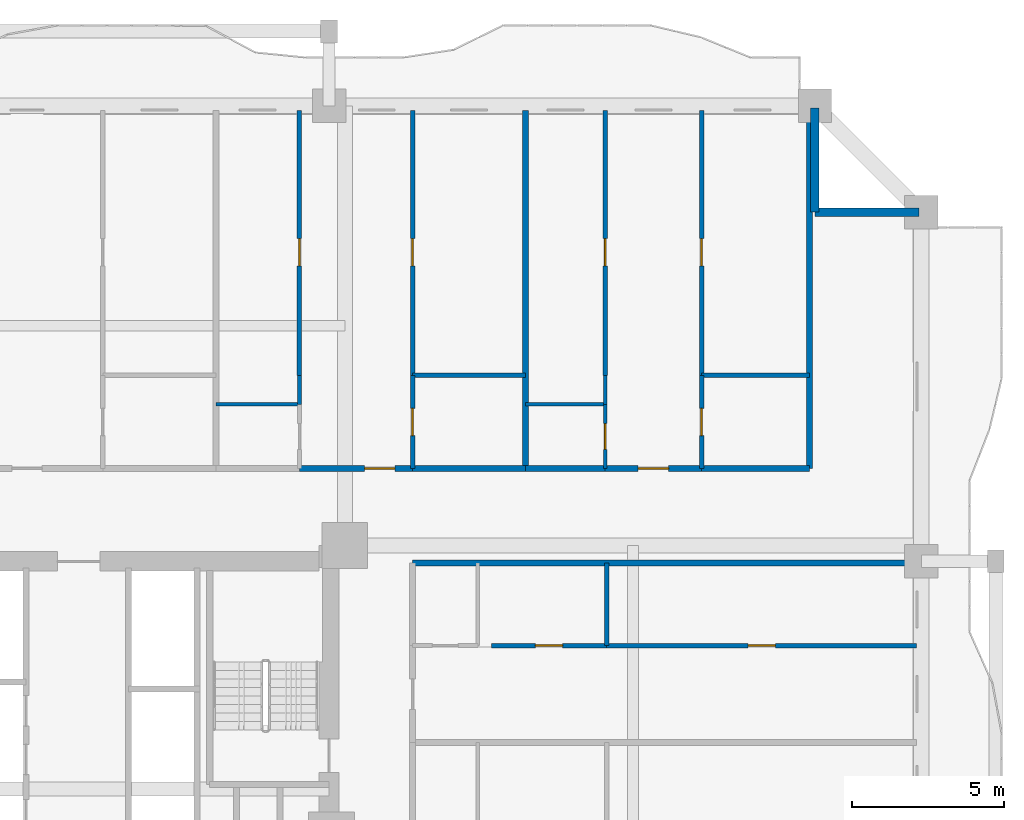
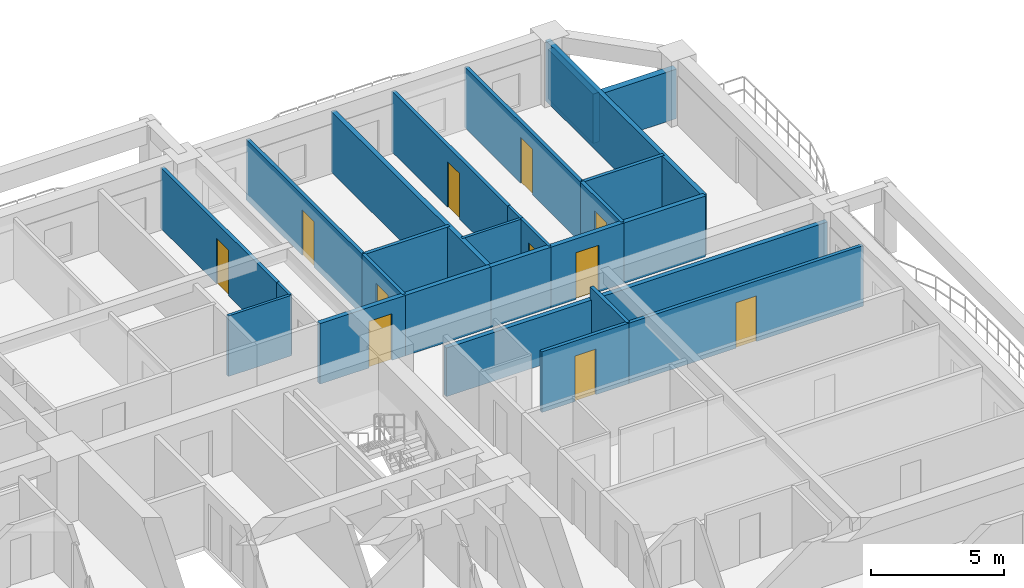
# One storey, part 8 of 16: 26 walls, 11 doors, 11 openings.
"""IFC4 building model written with IfcOpenShell, lengths in metres."""

from ifc_helpers import new_model, si_unit, direction, frame, frame_2d, origin, place, context, subcontext, project, spatial, rectangle, extrude, source, transform, mapped, material, layer, layer_set, type_object, element, fill, save


model = new_model("IFC4")

# Units and contexts
model_context = context("Model", 3, precision=1e-05, world=origin(), true_north=direction((0.0, 1.0)))
body_context = subcontext(model_context, "Body", "Model", "MODEL_VIEW")
ifc_project = project(units=[si_unit("LENGTHUNIT", "METRE"), si_unit("AREAUNIT", "SQUARE_METRE"), si_unit("VOLUMEUNIT", "CUBIC_METRE"), si_unit("PLANEANGLEUNIT", "RADIAN"), si_unit("MASSUNIT", "GRAM", prefix="KILO")], contexts=[model_context])

# Site, building, storey
site_placement = place(None, origin())
site = spatial("IfcSite", under=ifc_project, at=site_placement, CompositionType="ELEMENT")
building_placement = place(site_placement, origin())
building = spatial("IfcBuilding", under=site, at=building_placement, Name="Saelheon Loggia Tower", CompositionType="ELEMENT")
storey_placement = place(building_placement, frame((0.0, 0.0, 37.39990234375)))
storey = spatial("IfcBuildingStorey", under=building, at=storey_placement, Name="L11", CompositionType="ELEMENT", Elevation=37.39990234375)

# Walls
ifc_material_1 = material(Name="Architectural Precast Concrete C40/50", Category="concrete")
ifc_layer_1 = layer(ifc_material_1, 0.280029296875)
ifc_layer_set_1 = layer_set([ifc_layer_1], Name="Architectural Precast Concrete C40/50")
wall_type_1 = type_object("IfcWallType", Name="Wall_Ext_Loggia_280", PredefinedType="SOLIDWALL", material=ifc_layer_set_1)
for number, where, z_axis, x_axis, name in (
    (1, (60.5, 47.5, 0.0), (0.0, 0.0, 1.0), (0.0, 1.0, 0.0), "L11 Corner Notch Precast Wall NE1"),
    (2, (60.5, 47.5, 0.0), (0.0, 0.0, 1.0), (1.0, 0.0, 0.0), "L11 Corner Notch Precast Wall NE2"),
):
    element("IfcWall", number, at=place(storey_placement, frame(where, z_axis=z_axis, x_axis=x_axis)), inside=storey, type_object=wall_type_1, Name=name, PredefinedType="SOLIDWALL", context=body_context, shape_type="SweptSolid", body=[
        extrude(rectangle(XDim=3.419921875, YDim=0.280029296875, at=frame_2d((1.7099609375, 0.0))), origin(), (0.0, 0.0, 1.0), 2.280029296875),
    ])
ifc_material_2 = material(Name="Lightweight Autoclaved Aerated Concrete Block and Acoustic Gypsum", Category="concrete")
ifc_layer_2 = layer(ifc_material_2, 0.14990234375)
ifc_layer_set_2 = layer_set([ifc_layer_2], Name="Lightweight Autoclaved Aerated Concrete Block and Acoustic Gypsum")
wall_type_2 = type_object("IfcWallType", Name="Wall_Part_150", PredefinedType="PARTITIONING", material=ifc_layer_set_2)
wall_1_placement = place(storey_placement, frame((47.24951171875, 42.1201171875, 0.0), z_axis=(0.0, 0.0, 1.0), x_axis=(1.0, 0.0, 0.0)))
element("IfcWall", 3, at=wall_1_placement, inside=storey, type_object=wall_type_2, Name="L11 N Partition V31", PredefinedType="PARTITIONING", context=body_context, shape_type="SweptSolid", body=[
    extrude(rectangle(XDim=3.72265625, YDim=0.14990234375, at=frame_2d((1.861328125, 0.0))), origin(), (0.0, 0.0, 1.0), 2.7900390625),
])

# Wall, opening, door
wall_2_placement = place(storey_placement, frame((43.524658203125, 42.1201171875, 0.0), z_axis=(0.0, 0.0, 1.0), x_axis=(0.0, 1.0, 0.0)))
wall_2 = element("IfcWall", 4, at=wall_2_placement, inside=storey, type_object=wall_type_2, Name="L11 N Partition U34", PredefinedType="PARTITIONING", context=body_context, shape_type="SweptSolid", body=[
    extrude(rectangle(XDim=8.72998046875, YDim=0.14990234375, at=frame_2d((4.364990234375, 0.0))), origin(), (0.0, 0.0, 1.0), 2.7900390625),
])
opening_1_placement = place(wall_2_placement, frame((3.60888671875, 0.0, 0.0)))
opening_1 = element("IfcOpeningElement", 5, at=opening_1_placement, cuts=wall_2, Name="Opening D-IN2", PredefinedType="OPENING", context=body_context, shape_type="SweptSolid", body=[
    extrude(rectangle(XDim=0.89990234375, YDim=2.10009765625, at=frame_2d((0.449951171875, 1.050048828125))), frame((0.0, 0.0869140625, 0.0), z_axis=(0.0, -1.0, 0.0), x_axis=(1.0, 0.0, 0.0)), (0.0, 0.0, 1.0), 0.173828125),
])
ifc_material_3 = material(Name="Engineered Oak Flush Door", Category="timber")
door_type_1 = type_object("IfcDoorType", Name="Door_Int_900", OperationType="NOTDEFINED", PredefinedType="DOOR", material=ifc_material_3)
shared_shape_1 = source(origin(), body_context, "Body", "SweptSolid", [
    extrude(rectangle(XDim=0.89990234375, YDim=2.10009765625, at=frame_2d((0.449951171875, 1.050048828125))), frame((0.0, 0.02490234375, 0.0), z_axis=(0.0, -1.0, 0.0), x_axis=(1.0, 0.0, 0.0)), (0.0, 0.0, 1.0), 0.050048828125),
])
door_1_placement = place(opening_1_placement, origin())
door_1 = element("IfcDoor", 6, at=door_1_placement, inside=storey, type_object=door_type_1, Name="Unit U07 Kitchen Door", OperationType="SINGLE_SWING_RIGHT", OverallHeight=2.10009765625, OverallWidth=0.89990234375, PredefinedType="DOOR", context=body_context, shape_type="MappedRepresentation", body=[
    mapped(shared_shape_1, transform((0.0, 0.0, 0.0), scale=1.0)),
])
fill(opening_1, door_1)

wall_3_placement = place(storey_placement, frame((47.24951171875, 39.050048828125, 0.0), z_axis=(0.0, 0.0, 1.0), x_axis=(0.0, 1.0, 0.0)))
wall_3 = element("IfcWall", 7, at=wall_3_placement, inside=storey, type_object=wall_type_2, Name="L11 N Partition U35", PredefinedType="PARTITIONING", context=body_context, shape_type="SweptSolid", body=[
    extrude(rectangle(XDim=3.070068359375, YDim=0.14990234375, at=frame_2d((1.53515625, 0.0))), origin(), (0.0, 0.0, 1.0), 2.7900390625),
])
opening_2_placement = place(wall_3_placement, frame((1.0849609375, 0.0, 0.0)))
opening_2 = element("IfcOpeningElement", 8, at=opening_2_placement, cuts=wall_3, Name="Opening D-IN2", PredefinedType="OPENING", context=body_context, shape_type="SweptSolid", body=[
    extrude(rectangle(XDim=0.89990234375, YDim=2.10009765625, at=frame_2d((0.449951171875, 1.050048828125))), frame((0.0, 0.0869140625, 0.0), z_axis=(0.0, -1.0, 0.0), x_axis=(1.0, 0.0, 0.0)), (0.0, 0.0, 1.0), 0.173828125),
])
door_2_placement = place(opening_2_placement, origin())
door_2 = element("IfcDoor", 9, at=door_2_placement, inside=storey, type_object=door_type_1, Name="Unit U07 Dressing Closet Door", OperationType="SINGLE_SWING_LEFT", OverallHeight=2.10009765625, OverallWidth=0.89990234375, PredefinedType="DOOR", context=body_context, shape_type="MappedRepresentation", body=[
    mapped(shared_shape_1, transform((0.0, 0.0, 0.0), scale=1.0)),
])
fill(opening_2, door_2)

wall_4_placement = place(storey_placement, frame((47.24951171875, 42.1201171875, 0.0), z_axis=(0.0, 0.0, 1.0), x_axis=(0.0, 1.0, 0.0)))
wall_4 = element("IfcWall", 10, at=wall_4_placement, inside=storey, type_object=wall_type_2, Name="L11 N Partition U36", PredefinedType="PARTITIONING", context=body_context, shape_type="SweptSolid", body=[
    extrude(rectangle(XDim=8.72998046875, YDim=0.14990234375, at=frame_2d((4.364990234375, 0.0))), origin(), (0.0, 0.0, 1.0), 2.7900390625),
])
opening_3_placement = place(wall_4_placement, frame((3.60888671875, 0.0, 0.0)))
opening_3 = element("IfcOpeningElement", 11, at=opening_3_placement, cuts=wall_4, Name="Opening D-IN2", PredefinedType="OPENING", context=body_context, shape_type="SweptSolid", body=[
    extrude(rectangle(XDim=0.89990234375, YDim=2.10009765625, at=frame_2d((0.449951171875, 1.050048828125))), frame((0.0, 0.0869140625, 0.0), z_axis=(0.0, -1.0, 0.0), x_axis=(1.0, 0.0, 0.0)), (0.0, 0.0, 1.0), 0.173828125),
])
door_3_placement = place(opening_3_placement, origin())
door_3 = element("IfcDoor", 12, at=door_3_placement, inside=storey, type_object=door_type_1, Name="Unit U07 Bedroom 1 Door", OperationType="SINGLE_SWING_RIGHT", OverallHeight=2.10009765625, OverallWidth=0.89990234375, PredefinedType="DOOR", context=body_context, shape_type="MappedRepresentation", body=[
    mapped(shared_shape_1, transform((0.0, 0.0, 0.0), scale=1.0)),
])
fill(opening_3, door_3)

# Wall
wall_5_placement = place(storey_placement, frame((56.767822265625, 42.1201171875, 0.0), z_axis=(0.0, 0.0, 1.0), x_axis=(1.0, 0.0, 0.0)))
element("IfcWall", 13, at=wall_5_placement, inside=storey, type_object=wall_type_2, Name="L11 N Partition V42", PredefinedType="PARTITIONING", context=body_context, shape_type="SweptSolid", body=[
    extrude(rectangle(XDim=3.55224609375, YDim=0.14990234375, at=frame_2d((1.776123046875, 0.0))), origin(), (0.0, 0.0, 1.0), 2.7900390625),
])

# Wall, opening, door
wall_6_placement = place(storey_placement, frame((53.589599609375, 42.1201171875, 0.0), z_axis=(0.0, 0.0, 1.0), x_axis=(0.0, 1.0, 0.0)))
wall_6 = element("IfcWall", 14, at=wall_6_placement, inside=storey, type_object=wall_type_2, Name="L11 N Partition U45", PredefinedType="PARTITIONING", context=body_context, shape_type="SweptSolid", body=[
    extrude(rectangle(XDim=8.72998046875, YDim=0.14990234375, at=frame_2d((4.364990234375, 0.0))), origin(), (0.0, 0.0, 1.0), 2.7900390625),
])
opening_4_placement = place(wall_6_placement, frame((3.60888671875, 0.0, 0.0)))
opening_4 = element("IfcOpeningElement", 15, at=opening_4_placement, cuts=wall_6, Name="Opening D-IN2", PredefinedType="OPENING", context=body_context, shape_type="SweptSolid", body=[
    extrude(rectangle(XDim=0.89990234375, YDim=2.10009765625, at=frame_2d((0.449951171875, 1.050048828125))), frame((0.0, 0.0869140625, 0.0), z_axis=(0.0, -1.0, 0.0), x_axis=(1.0, 0.0, 0.0)), (0.0, 0.0, 1.0), 0.173828125),
])
door_4_placement = place(opening_4_placement, origin())
door_4 = element("IfcDoor", 16, at=door_4_placement, inside=storey, type_object=door_type_1, Name="Unit U08 Kitchen Door", OperationType="SINGLE_SWING_LEFT", OverallHeight=2.10009765625, OverallWidth=0.89990234375, PredefinedType="DOOR", context=body_context, shape_type="MappedRepresentation", body=[
    mapped(shared_shape_1, transform((0.0, 0.0, 0.0), scale=1.0)),
])
fill(opening_4, door_4)

wall_7_placement = place(storey_placement, frame((56.767822265625, 39.050048828125, 0.0), z_axis=(0.0, 0.0, 1.0), x_axis=(0.0, 1.0, 0.0)))
wall_7 = element("IfcWall", 17, at=wall_7_placement, inside=storey, type_object=wall_type_2, Name="L11 N Partition U46", PredefinedType="PARTITIONING", context=body_context, shape_type="SweptSolid", body=[
    extrude(rectangle(XDim=3.070068359375, YDim=0.14990234375, at=frame_2d((1.53515625, 0.0))), origin(), (0.0, 0.0, 1.0), 2.7900390625),
])
opening_5_placement = place(wall_7_placement, frame((1.0849609375, 0.0, 0.0)))
opening_5 = element("IfcOpeningElement", 18, at=opening_5_placement, cuts=wall_7, Name="Opening D-IN2", PredefinedType="OPENING", context=body_context, shape_type="SweptSolid", body=[
    extrude(rectangle(XDim=0.89990234375, YDim=2.10009765625, at=frame_2d((0.449951171875, 1.050048828125))), frame((0.0, 0.0869140625, 0.0), z_axis=(0.0, -1.0, 0.0), x_axis=(1.0, 0.0, 0.0)), (0.0, 0.0, 1.0), 0.173828125),
])
door_5_placement = place(opening_5_placement, origin())
door_5 = element("IfcDoor", 19, at=door_5_placement, inside=storey, type_object=door_type_1, Name="Unit U08 Dressing Closet Door", OperationType="SINGLE_SWING_RIGHT", OverallHeight=2.10009765625, OverallWidth=0.89990234375, PredefinedType="DOOR", context=body_context, shape_type="MappedRepresentation", body=[
    mapped(shared_shape_1, transform((0.0, 0.0, 0.0), scale=1.0)),
])
fill(opening_5, door_5)

wall_8_placement = place(storey_placement, frame((56.767822265625, 42.1201171875, 0.0), z_axis=(0.0, 0.0, 1.0), x_axis=(0.0, 1.0, 0.0)))
wall_8 = element("IfcWall", 20, at=wall_8_placement, inside=storey, type_object=wall_type_2, Name="L11 N Partition U47", PredefinedType="PARTITIONING", context=body_context, shape_type="SweptSolid", body=[
    extrude(rectangle(XDim=8.72998046875, YDim=0.14990234375, at=frame_2d((4.364990234375, 0.0))), origin(), (0.0, 0.0, 1.0), 2.7900390625),
])
opening_6_placement = place(wall_8_placement, frame((3.60888671875, 0.0, 0.0)))
opening_6 = element("IfcOpeningElement", 21, at=opening_6_placement, cuts=wall_8, Name="Opening D-IN2", PredefinedType="OPENING", context=body_context, shape_type="SweptSolid", body=[
    extrude(rectangle(XDim=0.89990234375, YDim=2.10009765625, at=frame_2d((0.449951171875, 1.050048828125))), frame((0.0, 0.0869140625, 0.0), z_axis=(0.0, -1.0, 0.0), x_axis=(1.0, 0.0, 0.0)), (0.0, 0.0, 1.0), 0.173828125),
])
door_6_placement = place(opening_6_placement, origin())
door_6 = element("IfcDoor", 22, at=door_6_placement, inside=storey, type_object=door_type_1, Name="Unit U08 Bedroom 1 Door", OperationType="SINGLE_SWING_LEFT", OverallHeight=2.10009765625, OverallWidth=0.89990234375, PredefinedType="DOOR", context=body_context, shape_type="MappedRepresentation", body=[
    mapped(shared_shape_1, transform((0.0, 0.0, 0.0), scale=1.0)),
])
fill(opening_6, door_6)

# Wall
wall_9_placement = place(storey_placement, frame((53.639892578125, 33.22509765625, 0.0), z_axis=(0.0, 0.0, 1.0), x_axis=(0.0, 1.0, 0.0)))
element("IfcWall", 23, at=wall_9_placement, inside=storey, type_object=wall_type_2, Name="L11 E Partition V23", PredefinedType="PARTITIONING", context=body_context, shape_type="SweptSolid", body=[
    extrude(rectangle(XDim=2.724853515625, YDim=0.14990234375, at=frame_2d((1.3623046875, 0.0))), origin(), (0.0, 0.0, 1.0), 2.7900390625),
])

# Wall, opening, door
wall_10_placement = place(storey_placement, frame((49.840087890625, 33.22509765625, 0.0), z_axis=(0.0, 0.0, 1.0), x_axis=(1.0, 0.0, 0.0)))
wall_10 = element("IfcWall", 24, at=wall_10_placement, inside=storey, type_object=wall_type_2, Name="L11 E Partition U24", PredefinedType="PARTITIONING", context=body_context, shape_type="SweptSolid", body=[
    extrude(rectangle(XDim=3.7998046875, YDim=0.14990234375, at=frame_2d((1.89990234375, 0.0))), origin(), (0.0, 0.0, 1.0), 2.7900390625),
])
opening_7_placement = place(wall_10_placement, frame((1.449951171875, 0.0, 0.0)))
opening_7 = element("IfcOpeningElement", 25, at=opening_7_placement, cuts=wall_10, Name="Opening D-IN2", PredefinedType="OPENING", context=body_context, shape_type="SweptSolid", body=[
    extrude(rectangle(XDim=0.89990234375, YDim=2.10009765625, at=frame_2d((0.449951171875, 1.050048828125))), frame((0.0, 0.0869140625, 0.0), z_axis=(0.0, -1.0, 0.0), x_axis=(1.0, 0.0, 0.0)), (0.0, 0.0, 1.0), 0.173828125),
])
door_7_placement = place(opening_7_placement, origin())
door_7 = element("IfcDoor", 26, at=door_7_placement, inside=storey, type_object=door_type_1, Name="Unit U13 Kitchen Door", OperationType="SINGLE_SWING_RIGHT", OverallHeight=2.10009765625, OverallWidth=0.89990234375, PredefinedType="DOOR", context=body_context, shape_type="MappedRepresentation", body=[
    mapped(shared_shape_1, transform((0.0, 0.0, 0.0), scale=1.0)),
])
fill(opening_7, door_7)

wall_11_placement = place(storey_placement, frame((53.639892578125, 33.22509765625, 0.0), z_axis=(0.0, 0.0, 1.0), x_axis=(1.0, 0.0, 0.0)))
wall_11 = element("IfcWall", 27, at=wall_11_placement, inside=storey, type_object=wall_type_2, Name="L11 E Partition U25", PredefinedType="PARTITIONING", context=body_context, shape_type="SweptSolid", body=[
    extrude(rectangle(XDim=10.210205078125, YDim=0.14990234375, at=frame_2d((5.10498046875, 0.0))), origin(), (0.0, 0.0, 1.0), 2.7900390625),
])
opening_8_placement = place(wall_11_placement, frame((4.655029296875, 0.0, 0.0)))
opening_8 = element("IfcOpeningElement", 28, at=opening_8_placement, cuts=wall_11, Name="Opening D-IN2", PredefinedType="OPENING", context=body_context, shape_type="SweptSolid", body=[
    extrude(rectangle(XDim=0.89990234375, YDim=2.10009765625, at=frame_2d((0.449951171875, 1.050048828125))), frame((0.0, 0.0869140625, 0.0), z_axis=(0.0, -1.0, 0.0), x_axis=(1.0, 0.0, 0.0)), (0.0, 0.0, 1.0), 0.173828125),
])
door_8_placement = place(opening_8_placement, origin())
door_8 = element("IfcDoor", 29, at=door_8_placement, inside=storey, type_object=door_type_1, Name="Unit U13 Bedroom 1 Door", OperationType="SINGLE_SWING_LEFT", OverallHeight=2.10009765625, OverallWidth=0.89990234375, PredefinedType="DOOR", context=body_context, shape_type="MappedRepresentation", body=[
    mapped(shared_shape_1, transform((0.0, 0.0, 0.0), scale=1.0)),
])
fill(opening_8, door_8)

# Wall
ifc_material_4 = material(Name="Double Acoustic Stud and Fireboard Partition", Category="gypsum")
ifc_layer_3 = layer(ifc_material_4, 0.199951171875)
ifc_layer_set_3 = layer_set([ifc_layer_3], Name="Double Acoustic Stud and Fireboard Partition")
wall_type_3 = type_object("IfcWallType", Name="Wall_Party_200", PredefinedType="PARTITIONING", material=ifc_layer_set_3)
wall_12_placement = place(storey_placement, frame((60.320068359375, 39.050048828125, 0.0), z_axis=(0.0, 0.0, 1.0), x_axis=(0.0, 1.0, 0.0)))
element("IfcWall", 30, at=wall_12_placement, inside=storey, type_object=wall_type_3, Name="L11 N Partition U02", PredefinedType="PARTITIONING", context=body_context, shape_type="SweptSolid", body=[
    extrude(rectangle(XDim=11.800048828125, YDim=0.199951171875, at=frame_2d((5.89990234375, 0.0))), origin(), (0.0, 0.0, 1.0), 2.7900390625),
])

# Wall, opening, door
wall_13_placement = place(storey_placement, frame((43.524658203125, 39.050048828125, 0.0), z_axis=(0.0, 0.0, 1.0), x_axis=(1.0, 0.0, 0.0)))
wall_13 = element("IfcWall", 31, at=wall_13_placement, inside=storey, type_object=wall_type_3, Name="L11 N Partition V28", PredefinedType="PARTITIONING", context=body_context, shape_type="SweptSolid", body=[
    extrude(rectangle(XDim=3.724853515625, YDim=0.199951171875, at=frame_2d((1.8623046875, 0.0))), origin(), (0.0, 0.0, 1.0), 2.7900390625),
])
opening_9_placement = place(wall_13_placement, frame((2.143310546875, 0.0, 0.0)))
opening_9 = element("IfcOpeningElement", 32, at=opening_9_placement, cuts=wall_13, Name="Opening D-FD1", PredefinedType="OPENING", context=body_context, shape_type="SweptSolid", body=[
    extrude(rectangle(XDim=1.0, YDim=2.14990234375, at=frame_2d((0.5, 1.074951171875))), frame((0.0, 0.112060546875, 0.0), z_axis=(0.0, -1.0, 0.0), x_axis=(1.0, 0.0, 0.0)), (0.0, 0.0, 1.0), 0.223876953125),
])
ifc_material_5 = material(Name="Fire-Rated Engineered Timber Entrance Door", Category="wood")
door_type_2 = type_object("IfcDoorType", Name="Door_Flat_FD30S", OperationType="NOTDEFINED", PredefinedType="DOOR", material=ifc_material_5)
shared_shape_2 = source(origin(), body_context, "Body", "SweptSolid", [
    extrude(rectangle(XDim=1.0, YDim=2.14990234375, at=frame_2d((0.5, 1.074951171875))), frame((0.0, 0.02490234375, 0.0), z_axis=(0.0, -1.0, 0.0), x_axis=(1.0, 0.0, 0.0)), (0.0, 0.0, 1.0), 0.050048828125),
])
door_9_placement = place(opening_9_placement, origin())
door_9 = element("IfcDoor", 33, at=door_9_placement, inside=storey, type_object=door_type_2, Name="Unit U07 Entrance Door", OperationType="SINGLE_SWING_RIGHT", OverallHeight=2.14990234375, OverallWidth=1.0, PredefinedType="DOOR", context=body_context, shape_type="MappedRepresentation", body=[
    mapped(shared_shape_2, transform((0.0, 0.0, 0.0), scale=1.0)),
])
fill(opening_9, door_9)

# Walls
wall_14_placement = place(storey_placement, frame((47.24951171875, 39.050048828125, 0.0), z_axis=(0.0, 0.0, 1.0), x_axis=(1.0, 0.0, 0.0)))
element("IfcWall", 34, at=wall_14_placement, inside=storey, type_object=wall_type_3, Name="L11 N Partition V29", PredefinedType="PARTITIONING", context=body_context, shape_type="SweptSolid", body=[
    extrude(rectangle(XDim=3.72265625, YDim=0.199951171875, at=frame_2d((1.861328125, 0.0))), origin(), (0.0, 0.0, 1.0), 2.7900390625),
])
wall_15_placement = place(storey_placement, frame((50.97216796875, 39.050048828125, 0.0), z_axis=(0.0, 0.0, 1.0), x_axis=(0.0, 1.0, 0.0)))
element("IfcWall", 35, at=wall_15_placement, inside=storey, type_object=wall_type_3, Name="L11 N Partition U37", PredefinedType="PARTITIONING", context=body_context, shape_type="SweptSolid", body=[
    extrude(rectangle(XDim=11.800048828125, YDim=0.199951171875, at=frame_2d((5.89990234375, 0.0))), origin(), (0.0, 0.0, 1.0), 2.7900390625),
])
wall_16_placement = place(storey_placement, frame((50.97216796875, 39.050048828125, 0.0), z_axis=(0.0, 0.0, 1.0), x_axis=(1.0, 0.0, 0.0)))
element("IfcWall", 36, at=wall_16_placement, inside=storey, type_object=wall_type_3, Name="L11 N Partition V38", PredefinedType="PARTITIONING", context=body_context, shape_type="SweptSolid", body=[
    extrude(rectangle(XDim=2.617431640625, YDim=0.199951171875, at=frame_2d((1.30859375, 0.0))), origin(), (0.0, 0.0, 1.0), 2.7900390625),
])

# Wall, opening, door
wall_17_placement = place(storey_placement, frame((53.589599609375, 39.050048828125, 0.0), z_axis=(0.0, 0.0, 1.0), x_axis=(1.0, 0.0, 0.0)))
wall_17 = element("IfcWall", 37, at=wall_17_placement, inside=storey, type_object=wall_type_3, Name="L11 N Partition V39", PredefinedType="PARTITIONING", context=body_context, shape_type="SweptSolid", body=[
    extrude(rectangle(XDim=3.17822265625, YDim=0.199951171875, at=frame_2d((1.589111328125, 0.0))), origin(), (0.0, 0.0, 1.0), 2.7900390625),
])
opening_10_placement = place(wall_17_placement, frame((1.089111328125, 0.0, 0.0)))
opening_10 = element("IfcOpeningElement", 38, at=opening_10_placement, cuts=wall_17, Name="Opening D-FD1", PredefinedType="OPENING", context=body_context, shape_type="SweptSolid", body=[
    extrude(rectangle(XDim=1.0, YDim=2.14990234375, at=frame_2d((0.5, 1.074951171875))), frame((0.0, 0.112060546875, 0.0), z_axis=(0.0, -1.0, 0.0), x_axis=(1.0, 0.0, 0.0)), (0.0, 0.0, 1.0), 0.223876953125),
])
door_10_placement = place(opening_10_placement, origin())
door_10 = element("IfcDoor", 39, at=door_10_placement, inside=storey, type_object=door_type_2, Name="Unit U08 Entrance Door", OperationType="SINGLE_SWING_LEFT", OverallHeight=2.14990234375, OverallWidth=1.0, PredefinedType="DOOR", context=body_context, shape_type="MappedRepresentation", body=[
    mapped(shared_shape_2, transform((0.0, 0.0, 0.0), scale=1.0)),
])
fill(opening_10, door_10)

# Walls
wall_18_placement = place(storey_placement, frame((56.767822265625, 39.050048828125, 0.0), z_axis=(0.0, 0.0, 1.0), x_axis=(1.0, 0.0, 0.0)))
element("IfcWall", 40, at=wall_18_placement, inside=storey, type_object=wall_type_3, Name="L11 N Partition V40", PredefinedType="PARTITIONING", context=body_context, shape_type="SweptSolid", body=[
    extrude(rectangle(XDim=3.55224609375, YDim=0.199951171875, at=frame_2d((1.776123046875, 0.0))), origin(), (0.0, 0.0, 1.0), 2.7900390625),
])
wall_19_placement = place(storey_placement, frame((47.25, 35.949951171875, 0.0), z_axis=(0.0, 0.0, 1.0), x_axis=(1.0, 0.0, 0.0)))
element("IfcWall", 41, at=wall_19_placement, inside=storey, type_object=wall_type_3, Name="L11 E Partition U02", PredefinedType="PARTITIONING", context=body_context, shape_type="SweptSolid", body=[
    extrude(rectangle(XDim=16.60009765625, YDim=0.199951171875, at=frame_2d((8.300048828125, 0.0))), origin(), (0.0, 0.0, 1.0), 2.239990234375),
])
ifc_material_6 = material(Name="Moisture-Resistant Cement Board Partition", Category="gypsum")
ifc_layer_4 = layer(ifc_material_6, 0.1201171875)
ifc_layer_set_4 = layer_set([ifc_layer_4], Name="Moisture-Resistant Cement Board Partition")
wall_type_4 = type_object("IfcWallType", Name="Wall_WetPart_120", PredefinedType="PARTITIONING", material=ifc_layer_set_4)
wall_20_placement = place(storey_placement, frame((40.774658203125, 41.169921875, 0.0), z_axis=(0.0, 0.0, 1.0), x_axis=(1.0, 0.0, 0.0)))
element("IfcWall", 42, at=wall_20_placement, inside=storey, type_object=wall_type_4, Name="L11 N Partition V30", PredefinedType="PARTITIONING", context=body_context, shape_type="SweptSolid", body=[
    extrude(rectangle(XDim=2.75, YDim=0.1201171875, at=frame_2d((1.375, 0.0))), origin(), (0.0, 0.0, 1.0), 2.7900390625),
])
wall_21_placement = place(storey_placement, frame((43.524658203125, 41.169921875, 0.0), z_axis=(0.0, 0.0, 1.0), x_axis=(0.0, 1.0, 0.0)))
element("IfcWall", 43, at=wall_21_placement, inside=storey, type_object=wall_type_4, Name="L11 N Partition U33", PredefinedType="PARTITIONING", context=body_context, shape_type="SweptSolid", body=[
    extrude(rectangle(XDim=0.9501953125, YDim=0.1201171875, at=frame_2d((0.47509765625, 0.0))), origin(), (0.0, 0.0, 1.0), 2.7900390625),
])
wall_22_placement = place(storey_placement, frame((50.97216796875, 41.169921875, 0.0), z_axis=(0.0, 0.0, 1.0), x_axis=(1.0, 0.0, 0.0)))
element("IfcWall", 44, at=wall_22_placement, inside=storey, type_object=wall_type_4, Name="L11 N Partition V41", PredefinedType="PARTITIONING", context=body_context, shape_type="SweptSolid", body=[
    extrude(rectangle(XDim=2.617431640625, YDim=0.1201171875, at=frame_2d((1.30859375, 0.0))), origin(), (0.0, 0.0, 1.0), 2.7900390625),
])

# Wall, opening, door
wall_23_placement = place(storey_placement, frame((53.589599609375, 39.050048828125, 0.0), z_axis=(0.0, 0.0, 1.0), x_axis=(0.0, 1.0, 0.0)))
wall_23 = element("IfcWall", 45, at=wall_23_placement, inside=storey, type_object=wall_type_4, Name="L11 N Partition U43", PredefinedType="PARTITIONING", context=body_context, shape_type="SweptSolid", body=[
    extrude(rectangle(XDim=2.119873046875, YDim=0.1201171875, at=frame_2d((1.06005859375, 0.0))), origin(), (0.0, 0.0, 1.0), 2.7900390625),
])
opening_11_placement = place(wall_23_placement, frame((0.635009765625, 0.0, 0.0)))
opening_11 = element("IfcOpeningElement", 46, at=opening_11_placement, cuts=wall_23, Name="Opening D-BT1", PredefinedType="OPENING", context=body_context, shape_type="SweptSolid", body=[
    extrude(rectangle(XDim=0.85009765625, YDim=2.050048828125, at=frame_2d((0.425048828125, 1.02490234375))), frame((0.0, 0.072021484375, 0.0), z_axis=(0.0, -1.0, 0.0), x_axis=(1.0, 0.0, 0.0)), (0.0, 0.0, 1.0), 0.14404296875),
])
ifc_material_7 = material(Name="Moisture-Resistant Laminate Timber Door", Category="wood")
door_type_3 = type_object("IfcDoorType", Name="Door_Bath_850", OperationType="NOTDEFINED", PredefinedType="DOOR", material=ifc_material_7)
shared_shape_3 = source(origin(), body_context, "Body", "SweptSolid", [
    extrude(rectangle(XDim=0.85009765625, YDim=2.050048828125, at=frame_2d((0.425048828125, 1.02490234375))), frame((0.0, 0.02490234375, 0.0), z_axis=(0.0, -1.0, 0.0), x_axis=(1.0, 0.0, 0.0)), (0.0, 0.0, 1.0), 0.050048828125),
])
door_11_placement = place(opening_11_placement, origin())
door_11 = element("IfcDoor", 47, at=door_11_placement, inside=storey, type_object=door_type_3, Name="Unit U08 Bathroom Door", OperationType="SINGLE_SWING_RIGHT", OverallHeight=2.050048828125, OverallWidth=0.85009765625, PredefinedType="DOOR", context=body_context, shape_type="MappedRepresentation", body=[
    mapped(shared_shape_3, transform((0.0, 0.0, 0.0), scale=1.0)),
])
fill(opening_11, door_11)

# Wall
wall_24_placement = place(storey_placement, frame((53.589599609375, 41.169921875, 0.0), z_axis=(0.0, 0.0, 1.0), x_axis=(0.0, 1.0, 0.0)))
element("IfcWall", 48, at=wall_24_placement, inside=storey, type_object=wall_type_4, Name="L11 N Partition U44", PredefinedType="PARTITIONING", context=body_context, shape_type="SweptSolid", body=[
    extrude(rectangle(XDim=0.9501953125, YDim=0.1201171875, at=frame_2d((0.47509765625, 0.0))), origin(), (0.0, 0.0, 1.0), 2.7900390625),
])

save(model, "model.ifc")
